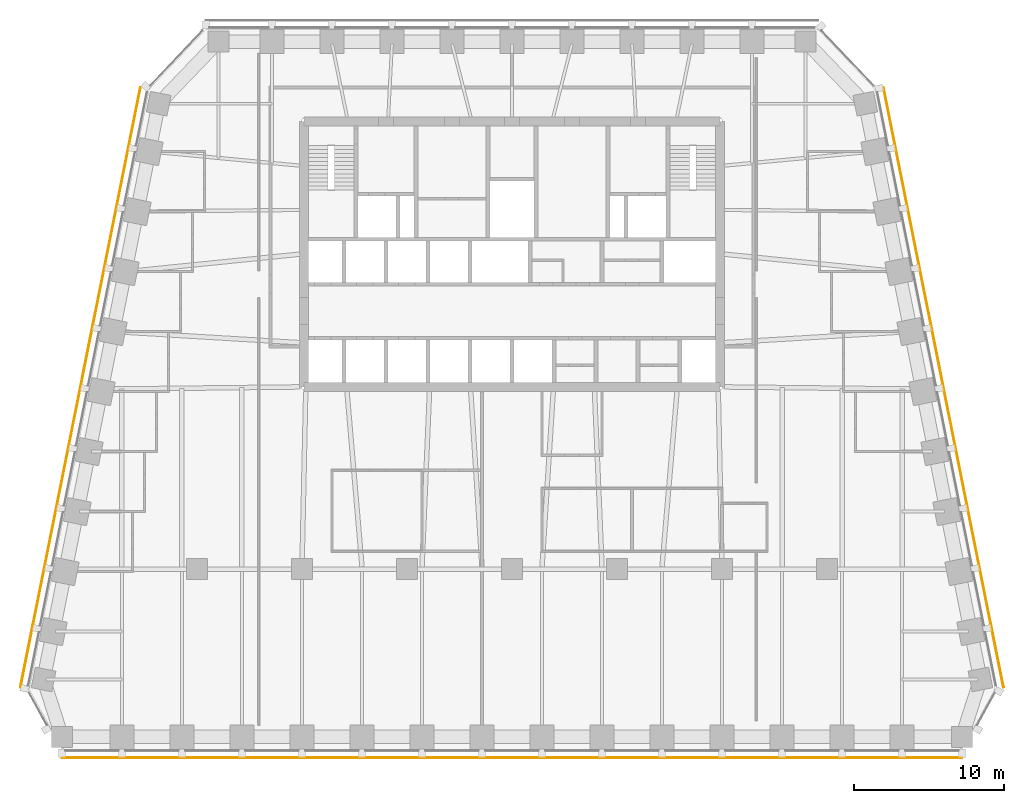
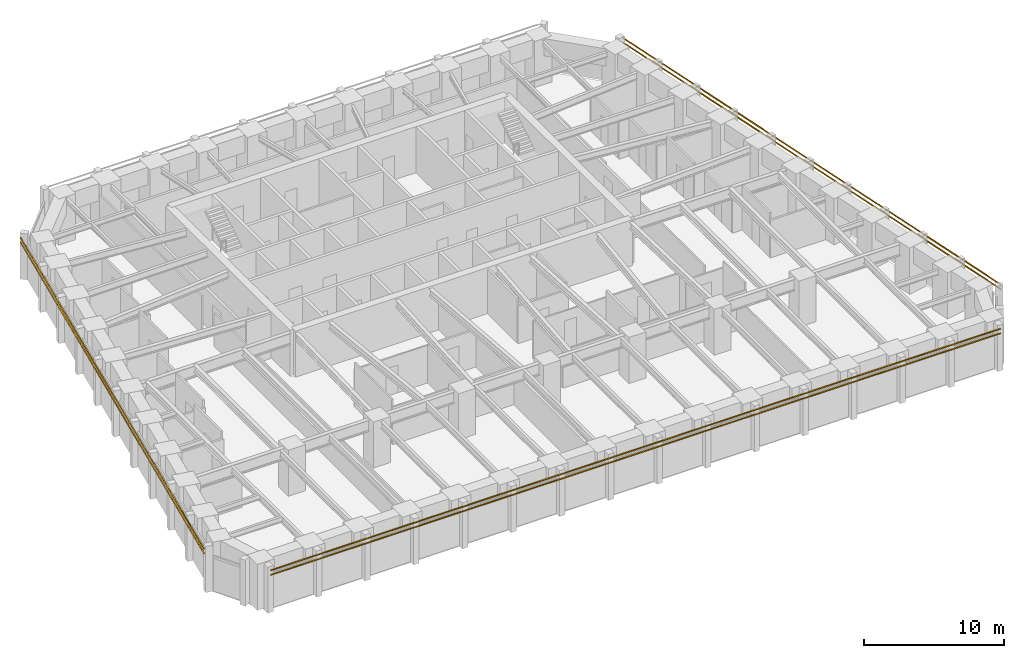
# One storey, part 9 of 10: 6 shading devices.
"""IFC4 building model written with IfcOpenShell, lengths in metres."""

from ifc_helpers import new_model, si_unit, direction, frame, origin, origin_2d, place, context, subcontext, project, spatial, rectangle, extrude, material, material_profile, profile_set, type_object, element, save


model = new_model("IFC4")

# Units and contexts
model_context = context("Model", 3, precision=1e-05, world=origin(), true_north=direction((0.0, 1.0)))
body_context = subcontext(model_context, "Body", "Model", "MODEL_VIEW")
ifc_project = project(units=[si_unit("LENGTHUNIT", "METRE"), si_unit("AREAUNIT", "SQUARE_METRE"), si_unit("VOLUMEUNIT", "CUBIC_METRE"), si_unit("PLANEANGLEUNIT", "RADIAN"), si_unit("MASSUNIT", "GRAM", prefix="KILO")], contexts=[model_context])

# Site, building, storey
site_placement = place(None, origin())
site = spatial("IfcSite", under=ifc_project, at=site_placement, CompositionType="ELEMENT")
building_placement = place(site_placement, origin())
building = spatial("IfcBuilding", under=site, at=building_placement, Name="Isbrekke Arena Tower", CompositionType="ELEMENT")
storey_placement = place(building_placement, frame((0.0, 0.0, 190.0)))
storey = spatial("IfcBuildingStorey", under=building, at=storey_placement, Name="L43", CompositionType="ELEMENT", Elevation=190.0)

# Shading devices
ifc_material = material(Name="Terracotta", Category="masonry")
ifc_material_profile = material_profile(ifc_material, rectangle(XDim=0.06005859375, YDim=0.06005859375, at=origin_2d()), Name="BAGUETTE 60X60")
ifc_profile_set = profile_set([ifc_material_profile], Name="Terracotta")
shading_device_type = type_object("IfcShadingDeviceType", Name="BG1 TERRACOTTA BAGUETTE 60 x 60", PredefinedType="USERDEFINED", material=ifc_profile_set)
for number, where, z_axis, x_axis, name in (
    (1, (-30.0, -18.580078125, 3.280029296875), (1.0, 0.0, 0.0), (0.0, 1.0, 0.0), "BG1 terracotta baguette S1 L43"),
    (2, (-30.0, -18.580078125, 3.679931640625), (1.0, 0.0, 0.0), (0.0, 1.0, 0.0), "BG1 terracotta baguette S2 L43"),
):
    element("IfcShadingDevice", number, at=place(storey_placement, frame(where, z_axis=z_axis, x_axis=x_axis)), inside=storey, type_object=shading_device_type, Name=name, ObjectType="TERRACOTTA BAGUETTE", PredefinedType="USERDEFINED", context=body_context, shape_type="SweptSolid", body=[
        extrude(rectangle(XDim=0.06005859375, YDim=0.06005859375, at=origin_2d()), origin(), (0.0, 0.0, 1.0), 60.0),
    ])
for number, where, z_axis, x_axis, name in (
    (3, (32.768798828125, -13.88623046875, 3.280029296875), (-0.196116135138, 0.980580675691, 0.0), (-0.980580675691, -0.196116135138, 0.0), "BG1 terracotta baguette E1 L43"),
    (4, (32.768798828125, -13.88623046875, 3.679931640625), (-0.196116135138, 0.980580675691, 0.0), (-0.980580675691, -0.196116135138, 0.0), "BG1 terracotta baguette E2 L43"),
    (5, (-24.768798828125, 26.11376953125, 3.280029296875), (-0.196116135138, -0.980580675691, 0.0), (0.980580675691, -0.196116135138, 0.0), "BG1 terracotta baguette W1 L43"),
    (6, (-24.768798828125, 26.11376953125, 3.679931640625), (-0.196116135138, -0.980580675691, 0.0), (0.980580675691, -0.196116135138, 0.0), "BG1 terracotta baguette W2 L43"),
):
    element("IfcShadingDevice", number, at=place(storey_placement, frame(where, z_axis=z_axis, x_axis=x_axis)), inside=storey, type_object=shading_device_type, Name=name, ObjectType="TERRACOTTA BAGUETTE", PredefinedType="USERDEFINED", context=body_context, shape_type="SweptSolid", body=[
        extrude(rectangle(XDim=0.06005859375, YDim=0.06005859375, at=origin_2d()), origin(), (0.0, 0.0, 1.0), 40.792236328125),
    ])

save(model, "model.ifc")
